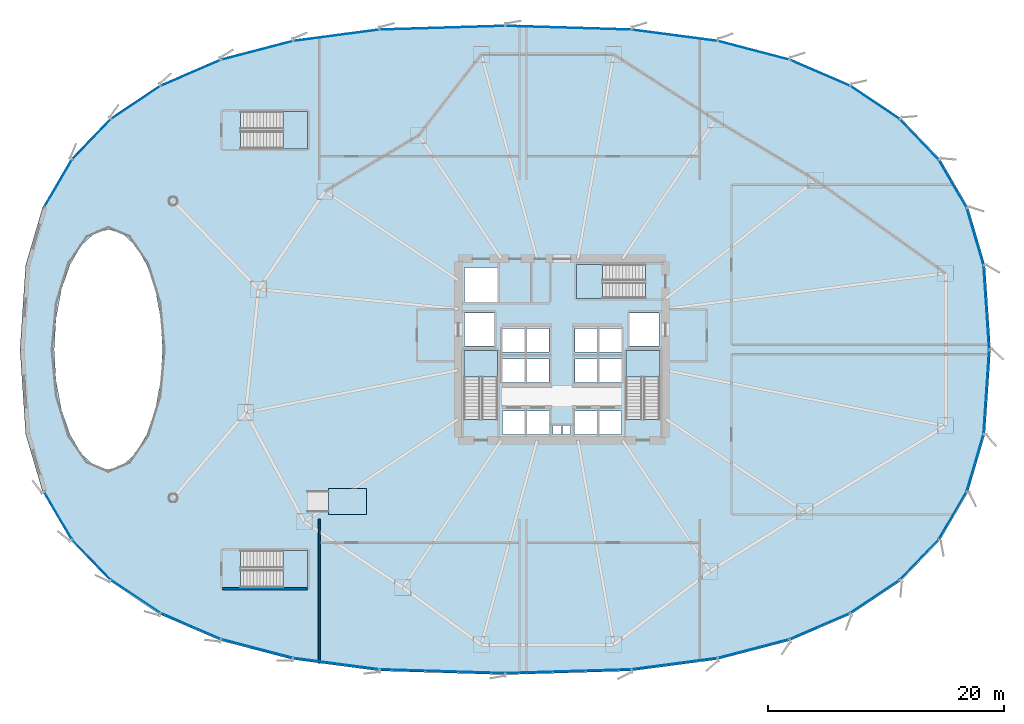
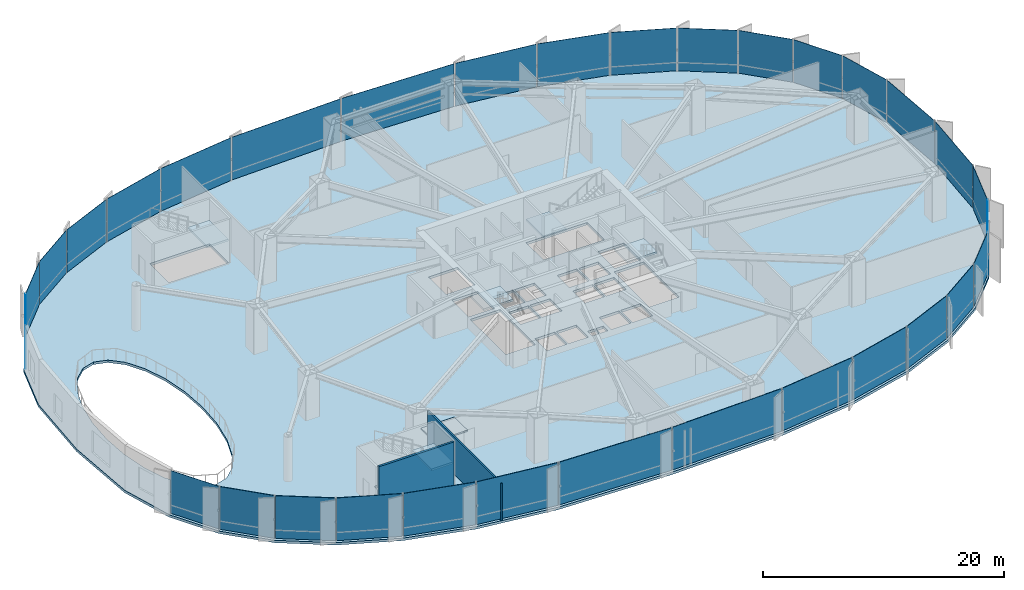
# One storey, part 23 of 34: 32 plates, 7 slabs, 2 walls, 11 elements without a shape of their own.
"""IFC4 building model written with IfcOpenShell, lengths in metres."""

from ifc_helpers import new_model, si_unit, direction, frame, frame_2d, origin, origin_2d, place, context, subcontext, project, spatial, polyline, rectangle, outline, extrude, source, transform, mapped, material, layer, layer_set, type_object, element, aggregate, save


model = new_model("IFC4")

# Units and contexts
model_context = context("Model", 3, precision=1e-05, world=origin(), true_north=direction((0.0, 1.0)))
body_context = subcontext(model_context, "Body", "Model", "MODEL_VIEW")
ifc_project = project(units=[si_unit("LENGTHUNIT", "METRE"), si_unit("AREAUNIT", "SQUARE_METRE"), si_unit("VOLUMEUNIT", "CUBIC_METRE"), si_unit("PLANEANGLEUNIT", "RADIAN"), si_unit("MASSUNIT", "GRAM", prefix="KILO"), si_unit("THERMODYNAMICTEMPERATUREUNIT", "KELVIN")], contexts=[model_context])

# Site, building, storey
site_placement = place(None, origin())
site = spatial("IfcSite", under=ifc_project, at=site_placement, CompositionType="ELEMENT")
building_placement = place(site_placement, origin())
building = spatial("IfcBuilding", under=site, at=building_placement, Name="Kethvar Cultural Tower", CompositionType="ELEMENT")
storey_placement = place(building_placement, frame((0.0, 0.0, 5.199951171875)))
storey = spatial("IfcBuildingStorey", under=building, at=storey_placement, Name="L01", CompositionType="ELEMENT", Elevation=5.199951171875)

# Slabs
ifc_material_1 = material(Name="Concrete C40/50", Category="concrete")
ifc_layer_1 = layer(ifc_material_1, 0.1201171875, Name="Concrete C40/50", Category="concrete")
ifc_layer_set_1 = layer_set([ifc_layer_1], Name="Concrete C40/50 (120 mm)")
slab_type_1 = type_object("IfcSlabType", Name="SL-DAIS-120", PredefinedType="LANDING", material=ifc_layer_set_1)
slab_1_placement = place(storey_placement, origin())
element("IfcSlab", 1, at=slab_1_placement, inside=storey, type_object=slab_type_1, Name="L01 Exhibition Plinth Landing", PredefinedType="LANDING", context=body_context, shape_type="SweptSolid", body=[
    extrude(outline(polyline([(27.0, 13.800048828125), (30.199951171875, 13.800048828125), (30.199951171875, 16.0), (27.0, 16.0), (27.0, 13.800048828125)])), origin(), (0.0, 0.0, 1.0), 0.1201171875),
])
ifc_layer_2 = layer(ifc_material_1, 0.25, Name="Concrete C40/50", Category="concrete")
ifc_layer_set_2 = layer_set([ifc_layer_2], Name="Concrete C40/50 (250 mm)")
slab_type_2 = type_object("IfcSlabType", Name="SL-POD-250", PredefinedType="FLOOR", material=ifc_layer_set_2)
slab_2_placement = place(storey_placement, frame((0.0, 0.0, -0.25)))
element("IfcSlab", 2, at=slab_2_placement, inside=storey, type_object=slab_type_2, Name="L01 Structural Floor Slab", PredefinedType="FLOOR", context=body_context, shape_type="SweptSolid", body=[
    extrude(outline(polyline([(83.199951171875, 27.800048828125), (82.7177734375, 34.978515625), (81.275146484375, 39.8916015625), (78.884521484375, 43.993896484375), (75.56298828125, 47.44580078125), (71.326416015625, 50.283935546875), (66.17333984375, 52.509033203125), (60.0498046875, 54.110595703125), (52.7158203125, 55.076904296875), (42.0, 55.39990234375), (31.2841796875, 55.076904296875), (23.9501953125, 54.110595703125), (17.82666015625, 52.509033203125), (12.673583984375, 50.283935546875), (8.43701171875, 47.44580078125), (5.115478515625, 43.993896484375), (2.724853515625, 39.8916015625), (1.2822265625, 34.978515625), (0.800048828125, 27.800048828125), (1.2822265625, 20.621337890625), (2.724853515625, 15.708251953125), (5.115478515625, 11.606201171875), (8.43701171875, 8.154296875), (12.673583984375, 5.31591796875), (17.82666015625, 3.091064453125), (23.9501953125, 1.489501953125), (31.2841796875, 0.523193359375), (42.0, 0.199951171875), (52.7158203125, 0.523193359375), (60.0498046875, 1.489501953125), (66.17333984375, 3.091064453125), (71.326416015625, 5.31591796875), (75.56298828125, 8.154296875), (78.884521484375, 11.606201171875), (81.275146484375, 15.708251953125), (82.7177734375, 20.621337890625), (83.199951171875, 27.800048828125)]), holes=[polyline([(38.489990234375, 21.85009765625), (38.489990234375, 27.699951171875), (41.35009765625, 27.699951171875), (41.35009765625, 21.85009765625), (38.489990234375, 21.85009765625)]), polyline([(52.25, 21.85009765625), (52.25, 27.699951171875), (55.110107421875, 27.699951171875), (55.110107421875, 21.85009765625), (52.25, 21.85009765625)]), polyline([(53.89990234375, 32.14990234375), (48.050048828125, 32.14990234375), (48.050048828125, 35.010009765625), (53.89990234375, 35.010009765625), (53.89990234375, 32.14990234375)]), polyline([(19.5, 10.760009765625), (25.199951171875, 10.760009765625), (25.199951171875, 7.60009765625), (19.5, 7.60009765625), (19.5, 10.760009765625)]), polyline([(19.5, 48.0), (25.199951171875, 48.0), (25.199951171875, 44.840087890625), (19.5, 44.840087890625), (19.5, 48.0)]), polyline([(41.75, 22.60009765625), (43.64990234375, 22.60009765625), (43.64990234375, 20.60009765625), (41.75, 20.60009765625), (41.75, 22.60009765625)]), polyline([(43.800048828125, 22.60009765625), (45.699951171875, 22.60009765625), (45.699951171875, 20.60009765625), (43.800048828125, 20.60009765625), (43.800048828125, 22.60009765625)]), polyline([(47.89990234375, 22.60009765625), (49.800048828125, 22.60009765625), (49.800048828125, 20.60009765625), (47.89990234375, 20.60009765625), (47.89990234375, 22.60009765625)]), polyline([(49.949951171875, 22.60009765625), (51.85009765625, 22.60009765625), (51.85009765625, 20.60009765625), (49.949951171875, 20.60009765625), (49.949951171875, 22.60009765625)]), polyline([(41.75, 27.0), (43.64990234375, 27.0), (43.64990234375, 25.0), (41.75, 25.0), (41.75, 27.0)]), polyline([(43.800048828125, 27.0), (45.699951171875, 27.0), (45.699951171875, 25.0), (43.800048828125, 25.0), (43.800048828125, 27.0)]), polyline([(47.89990234375, 27.0), (49.800048828125, 27.0), (49.800048828125, 25.0), (47.89990234375, 25.0), (47.89990234375, 27.0)]), polyline([(49.949951171875, 27.0), (51.85009765625, 27.0), (51.85009765625, 25.0), (49.949951171875, 25.0), (49.949951171875, 27.0)]), polyline([(41.75, 29.60009765625), (43.64990234375, 29.60009765625), (43.64990234375, 27.60009765625), (41.75, 27.60009765625), (41.75, 29.60009765625)]), polyline([(43.800048828125, 29.60009765625), (45.699951171875, 29.60009765625), (45.699951171875, 27.60009765625), (43.800048828125, 27.60009765625), (43.800048828125, 29.60009765625)]), polyline([(47.89990234375, 29.60009765625), (49.800048828125, 29.60009765625), (49.800048828125, 27.60009765625), (47.89990234375, 27.60009765625), (47.89990234375, 29.60009765625)]), polyline([(49.949951171875, 29.60009765625), (51.85009765625, 29.60009765625), (51.85009765625, 27.60009765625), (49.949951171875, 27.60009765625), (49.949951171875, 29.60009765625)]), polyline([(38.550048828125, 30.89990234375), (41.050048828125, 30.89990234375), (41.050048828125, 28.10009765625), (38.550048828125, 28.10009765625), (38.550048828125, 30.89990234375)]), polyline([(52.550048828125, 30.89990234375), (55.050048828125, 30.89990234375), (55.050048828125, 28.10009765625), (52.550048828125, 28.10009765625), (52.550048828125, 30.89990234375)]), polyline([(38.550048828125, 34.75), (41.35009765625, 34.75), (41.35009765625, 31.85009765625), (38.550048828125, 31.85009765625), (38.550048828125, 34.75)]), polyline([(46.050048828125, 21.35009765625), (46.75, 21.35009765625), (46.75, 20.60009765625), (46.050048828125, 20.60009765625), (46.050048828125, 21.35009765625)]), polyline([(46.85009765625, 21.35009765625), (47.550048828125, 21.35009765625), (47.550048828125, 20.60009765625), (46.85009765625, 20.60009765625), (46.85009765625, 21.35009765625)]), polyline([(12.743408203125, 25.159912109375), (12.28369140625, 22.699951171875), (11.552734375, 20.58740234375), (10.60009765625, 18.966552734375), (9.490478515625, 17.947509765625), (8.300048828125, 17.60009765625), (7.109375, 17.947509765625), (6.0, 18.966552734375), (5.04736328125, 20.58740234375), (4.31640625, 22.699951171875), (3.856689453125, 25.159912109375), (3.699951171875, 27.800048828125), (3.856689453125, 30.43994140625), (4.31640625, 32.89990234375), (5.04736328125, 35.012451171875), (6.0, 36.633544921875), (7.109375, 37.65234375), (8.300048828125, 38.0), (9.490478515625, 37.65234375), (10.60009765625, 36.633544921875), (11.552734375, 35.012451171875), (12.28369140625, 32.89990234375), (12.743408203125, 30.43994140625), (12.89990234375, 27.800048828125), (12.743408203125, 25.159912109375)])]), origin(), (0.0, 0.0, 1.0), 0.25),
])

# Stair, slab
stair_type_1 = type_object("IfcStairType", Name="ST-DOGLEG-135", PredefinedType="HALF_TURN_STAIR", material=ifc_material_1)
stair_1_placement = place(storey_placement, origin())
stair_1 = element("IfcStair", 3, at=stair_1_placement, inside=storey, type_object=stair_type_1, Name="L01 Core Exit Stair 1", PredefinedType="HALF_TURN_STAIR")
ifc_layer_3 = layer(ifc_material_1, 0.199951171875, Name="Concrete C40/50", Category="concrete")
ifc_layer_set_3 = layer_set([ifc_layer_3], Name="Concrete C40/50 (200 mm)")
slab_type_3 = type_object("IfcSlabType", Name="SL-STAIR-LANDING-200", PredefinedType="LANDING", material=ifc_layer_set_3)
slab_3_placement = place(storey_placement, frame((0.0, 0.0, 2.199951171875)))
slab_3 = element("IfcSlab", 4, at=slab_3_placement, type_object=slab_type_3, Name="ST-01 landing 1", PredefinedType="LANDING", context=body_context, shape_type="SweptSolid", body=[
    extrude(outline(polyline([(41.35009765625, 25.489990234375), (41.35009765625, 27.699951171875), (38.489990234375, 27.699951171875), (38.489990234375, 25.489990234375), (41.35009765625, 25.489990234375)])), origin(), (0.0, 0.0, 1.0), 0.2001953125),
])
aggregate(stair_1, [slab_3])

stair_2_placement = place(storey_placement, origin())
stair_2 = element("IfcStair", 5, at=stair_2_placement, inside=storey, type_object=stair_type_1, Name="L01 Core Exit Stair 2", PredefinedType="HALF_TURN_STAIR")
slab_4_placement = place(storey_placement, frame((0.0, 0.0, 2.199951171875)))
slab_4 = element("IfcSlab", 6, at=slab_4_placement, type_object=slab_type_3, Name="ST-02 landing 1", PredefinedType="LANDING", context=body_context, shape_type="SweptSolid", body=[
    extrude(outline(polyline([(55.110107421875, 25.489990234375), (55.110107421875, 27.699951171875), (52.25, 27.699951171875), (52.25, 25.489990234375), (55.110107421875, 25.489990234375)])), origin(), (0.0, 0.0, 1.0), 0.2001953125),
])
aggregate(stair_2, [slab_4])

stair_3_placement = place(storey_placement, origin())
stair_3 = element("IfcStair", 7, at=stair_3_placement, inside=storey, type_object=stair_type_1, Name="L01 Core Exit Stair 3", PredefinedType="HALF_TURN_STAIR")
slab_5_placement = place(storey_placement, frame((0.0, 0.0, 2.199951171875)))
slab_5 = element("IfcSlab", 8, at=slab_5_placement, type_object=slab_type_3, Name="ST-03 landing 1", PredefinedType="LANDING", context=body_context, shape_type="SweptSolid", body=[
    extrude(outline(polyline([(50.260009765625, 35.010009765625), (48.050048828125, 35.010009765625), (48.050048828125, 32.14990234375), (50.260009765625, 32.14990234375), (50.260009765625, 35.010009765625)])), origin(), (0.0, 0.0, 1.0), 0.2001953125),
])
aggregate(stair_3, [slab_5])

stair_type_2 = type_object("IfcStairType", Name="ST-DOGLEG-150", PredefinedType="HALF_TURN_STAIR", material=ifc_material_1)
stair_4_placement = place(storey_placement, origin())
stair_4 = element("IfcStair", 9, at=stair_4_placement, inside=storey, type_object=stair_type_2, Name="L01 Podium Auditorium Exit Stair 4", PredefinedType="HALF_TURN_STAIR")
slab_6_placement = place(storey_placement, frame((0.0, 0.0, 2.199951171875)))
slab_6 = element("IfcSlab", 10, at=slab_6_placement, type_object=slab_type_3, Name="ST-04 landing 1", PredefinedType="LANDING", context=body_context, shape_type="SweptSolid", body=[
    extrude(outline(polyline([(23.139892578125, 7.60009765625), (25.199951171875, 7.60009765625), (25.199951171875, 10.760009765625), (23.139892578125, 10.760009765625), (23.139892578125, 7.60009765625)])), origin(), (0.0, 0.0, 1.0), 0.2001953125),
])
aggregate(stair_4, [slab_6])

stair_5_placement = place(storey_placement, origin())
stair_5 = element("IfcStair", 11, at=stair_5_placement, inside=storey, type_object=stair_type_2, Name="L01 Podium Auditorium Exit Stair 5", PredefinedType="HALF_TURN_STAIR")
slab_7_placement = place(storey_placement, frame((0.0, 0.0, 2.199951171875)))
slab_7 = element("IfcSlab", 12, at=slab_7_placement, type_object=slab_type_3, Name="ST-05 landing 1", PredefinedType="LANDING", context=body_context, shape_type="SweptSolid", body=[
    extrude(outline(polyline([(23.139892578125, 44.840087890625), (25.199951171875, 44.840087890625), (25.199951171875, 48.0), (23.139892578125, 48.0), (23.139892578125, 44.840087890625)])), origin(), (0.0, 0.0, 1.0), 0.2001953125),
])
aggregate(stair_5, [slab_7])

# Curtain wall, plate
ifc_material_2 = material(Name="Aluminium 6063-T6", Category="aluminium")
ifc_layer_4 = layer(ifc_material_2, 0.179931640625, Name="Aluminium 6063-T6", Category="aluminium")
ifc_layer_set_4 = layer_set([ifc_layer_4], Name="Aluminium 6063-T6 (180 mm)")
curtain_wall_type = type_object("IfcCurtainWallType", Name="CW-SYS-01-POD", PredefinedType="NOTDEFINED", material=ifc_layer_set_4)
curtain_wall_1_placement = place(storey_placement, origin())
curtain_wall_1 = element("IfcCurtainWall", 13, at=curtain_wall_1_placement, inside=storey, type_object=curtain_wall_type, Name="L01 Curtain Wall Run 01", PredefinedType="NOTDEFINED")
ifc_material_3 = material(Name="Insulated Low-E Solar Glass", Category="glass")
ifc_layer_5 = layer(ifc_material_3, 0.035888671875, Name="Insulated Low-E Solar Glass", Category="glass")
ifc_layer_set_5 = layer_set([ifc_layer_5], Name="Insulated Low-E Solar Glass (36 mm)")
plate_type = type_object("IfcPlateType", Name="CW-SYS-01-POD-PNL", PredefinedType="CURTAIN_PANEL", material=ifc_layer_set_5)
shared_shape_1 = source(origin(), body_context, "Body", "SweptSolid", [
    extrude(rectangle(XDim=7.086669921875, YDim=0.035888671875, at=origin_2d()), origin(), (0.0, 0.0, 1.0), 4.330078125),
])
plate_1_placement = place(storey_placement, frame((82.8291015625, 31.380615234375, 0.110107421875), z_axis=(0.0, 0.0, 1.0), x_axis=(-0.067040137302, 0.997750279374, 0.0)))
plate_1 = element("IfcPlate", 14, at=plate_1_placement, type_object=plate_type, Name="CW-L01-R01 Vision Glazing Panel 1", PredefinedType="CURTAIN_PANEL", context=body_context, shape_type="MappedRepresentation", body=[
    mapped(shared_shape_1, transform((0.0, 0.0, 0.0), scale=1.0)),
])

curtain_wall_2_placement = place(storey_placement, origin())
curtain_wall_2 = element("IfcCurtainWall", 15, at=curtain_wall_2_placement, inside=storey, type_object=curtain_wall_type, Name="L01 Curtain Wall Run 06", PredefinedType="NOTDEFINED")
plate_2_placement = place(storey_placement, frame((82.8291015625, 24.219482421875, 0.110107421875), z_axis=(0.0, 0.0, 1.0), x_axis=(0.067040137302, 0.997750279374, 0.0)))
plate_2 = element("IfcPlate", 16, at=plate_2_placement, type_object=plate_type, Name="CW-L01-R06 Vision Glazing Panel 4", PredefinedType="CURTAIN_PANEL", context=body_context, shape_type="MappedRepresentation", body=[
    mapped(shared_shape_1, transform((0.0, 0.0, 0.0), scale=1.0)),
])

# Plate
shared_shape_2 = source(origin(), body_context, "Body", "SweptSolid", [
    extrude(rectangle(XDim=5.012451171875, YDim=0.035888671875, at=origin_2d()), origin(), (0.0, 0.0, 1.0), 4.330078125),
])
plate_3_placement = place(storey_placement, frame((81.87158203125, 37.398681640625, 0.110107421875), z_axis=(0.0, 0.0, 1.0), x_axis=(-0.28172190008, 0.959496102658, 0.0)))
plate_3 = element("IfcPlate", 17, at=plate_3_placement, type_object=plate_type, Name="CW-L01-R01 Vision Glazing Panel 2", PredefinedType="CURTAIN_PANEL", context=body_context, shape_type="MappedRepresentation", body=[
    mapped(shared_shape_2, transform((0.0, 0.0, 0.0), scale=1.0)),
])

plate_4_placement = place(storey_placement, frame((81.87158203125, 18.201416015625, 0.110107421875), z_axis=(0.0, 0.0, 1.0), x_axis=(0.28172190008, 0.959496102658, 0.0)))
plate_4 = element("IfcPlate", 18, at=plate_4_placement, type_object=plate_type, Name="CW-L01-R06 Vision Glazing Panel 3", PredefinedType="CURTAIN_PANEL", context=body_context, shape_type="MappedRepresentation", body=[
    mapped(shared_shape_2, transform((0.0, 0.0, 0.0), scale=1.0)),
])

shared_shape_3 = source(origin(), body_context, "Body", "SweptSolid", [
    extrude(rectangle(XDim=4.639892578125, YDim=0.035888671875, at=origin_2d()), origin(), (0.0, 0.0, 1.0), 4.330078125),
])
plate_5_placement = place(storey_placement, frame((79.967529296875, 41.877197265625, 0.110107421875), z_axis=(0.0, 0.0, 1.0), x_axis=(-0.503517649721, 0.863984939927, 0.0)))
plate_5 = element("IfcPlate", 19, at=plate_5_placement, type_object=plate_type, Name="CW-L01-R01 Vision Glazing Panel 3", PredefinedType="CURTAIN_PANEL", context=body_context, shape_type="MappedRepresentation", body=[
    mapped(shared_shape_3, transform((0.0, 0.0, 0.0), scale=1.0)),
])

# Curtain wall, plate
curtain_wall_3_placement = place(storey_placement, origin())
curtain_wall_3 = element("IfcCurtainWall", 20, at=curtain_wall_3_placement, inside=storey, type_object=curtain_wall_type, Name="L01 Curtain Wall Run 03", PredefinedType="NOTDEFINED")
plate_6_placement = place(storey_placement, frame((4.032470703125, 41.877197265625, 0.110107421875), z_axis=(0.0, 0.0, 1.0), x_axis=(-0.503517649721, -0.863984939927, 0.0)))
plate_6 = element("IfcPlate", 21, at=plate_6_placement, type_object=plate_type, Name="CW-L01-R03 Vision Glazing Panel 4", PredefinedType="CURTAIN_PANEL", context=body_context, shape_type="MappedRepresentation", body=[
    mapped(shared_shape_3, transform((0.0, 0.0, 0.0), scale=1.0)),
])

curtain_wall_4_placement = place(storey_placement, origin())
curtain_wall_4 = element("IfcCurtainWall", 22, at=curtain_wall_4_placement, inside=storey, type_object=curtain_wall_type, Name="L01 Curtain Wall Run 04", PredefinedType="NOTDEFINED")
plate_7_placement = place(storey_placement, frame((4.032470703125, 13.72265625, 0.110107421875), z_axis=(0.0, 0.0, 1.0), x_axis=(0.503517649721, -0.863984939927, 0.0)))
plate_7 = element("IfcPlate", 23, at=plate_7_placement, type_object=plate_type, Name="CW-L01-R04 Vision Glazing Panel 1", PredefinedType="CURTAIN_PANEL", context=body_context, shape_type="MappedRepresentation", body=[
    mapped(shared_shape_3, transform((0.0, 0.0, 0.0), scale=1.0)),
])

# Plate
plate_8_placement = place(storey_placement, frame((79.967529296875, 13.72265625, 0.110107421875), z_axis=(0.0, 0.0, 1.0), x_axis=(0.503517649721, 0.863984939927, 0.0)))
plate_8 = element("IfcPlate", 24, at=plate_8_placement, type_object=plate_type, Name="CW-L01-R06 Vision Glazing Panel 2", PredefinedType="CURTAIN_PANEL", context=body_context, shape_type="MappedRepresentation", body=[
    mapped(shared_shape_3, transform((0.0, 0.0, 0.0), scale=1.0)),
])

shared_shape_4 = source(origin(), body_context, "Body", "SweptSolid", [
    extrude(rectangle(XDim=4.682373046875, YDim=0.035888671875, at=origin_2d()), origin(), (0.0, 0.0, 1.0), 4.330078125),
])
plate_9_placement = place(storey_placement, frame((77.130126953125, 45.629638671875, 0.110107421875), z_axis=(0.0, 0.0, 1.0), x_axis=(-0.693338945689, 0.720611619661, 0.0)))
plate_9 = element("IfcPlate", 25, at=plate_9_placement, type_object=plate_type, Name="CW-L01-R01 Vision Glazing Panel 4", PredefinedType="CURTAIN_PANEL", context=body_context, shape_type="MappedRepresentation", body=[
    mapped(shared_shape_4, transform((0.0, 0.0, 0.0), scale=1.0)),
])

plate_10_placement = place(storey_placement, frame((6.869873046875, 45.629638671875, 0.110107421875), z_axis=(0.0, 0.0, 1.0), x_axis=(-0.693338945689, -0.720611619661, 0.0)))
plate_10 = element("IfcPlate", 26, at=plate_10_placement, type_object=plate_type, Name="CW-L01-R03 Vision Glazing Panel 3", PredefinedType="CURTAIN_PANEL", context=body_context, shape_type="MappedRepresentation", body=[
    mapped(shared_shape_4, transform((0.0, 0.0, 0.0), scale=1.0)),
])

plate_11_placement = place(storey_placement, frame((6.869873046875, 9.97021484375, 0.110107421875), z_axis=(0.0, 0.0, 1.0), x_axis=(0.693338945689, -0.720611619661, 0.0)))
plate_11 = element("IfcPlate", 27, at=plate_11_placement, type_object=plate_type, Name="CW-L01-R04 Vision Glazing Panel 2", PredefinedType="CURTAIN_PANEL", context=body_context, shape_type="MappedRepresentation", body=[
    mapped(shared_shape_4, transform((0.0, 0.0, 0.0), scale=1.0)),
])

plate_12_placement = place(storey_placement, frame((77.130126953125, 9.97021484375, 0.110107421875), z_axis=(0.0, 0.0, 1.0), x_axis=(0.693338945689, 0.720611619661, 0.0)))
plate_12 = element("IfcPlate", 28, at=plate_12_placement, type_object=plate_type, Name="CW-L01-R06 Vision Glazing Panel 1", PredefinedType="CURTAIN_PANEL", context=body_context, shape_type="MappedRepresentation", body=[
    mapped(shared_shape_4, transform((0.0, 0.0, 0.0), scale=1.0)),
])

aggregate(curtain_wall_2, [plate_12, plate_8, plate_4, plate_2])

shared_shape_5 = source(origin(), body_context, "Body", "SweptSolid", [
    extrude(rectangle(XDim=4.99169921875, YDim=0.035888671875, at=origin_2d()), origin(), (0.0, 0.0, 1.0), 4.330078125),
])
plate_13_placement = place(storey_placement, frame((73.372314453125, 48.7568359375, 0.110107421875), z_axis=(0.0, 0.0, 1.0), x_axis=(-0.830809662848, 0.556556649514, 0.0)))
plate_13 = element("IfcPlate", 29, at=plate_13_placement, type_object=plate_type, Name="CW-L01-R01 Vision Glazing Panel 5", PredefinedType="CURTAIN_PANEL", context=body_context, shape_type="MappedRepresentation", body=[
    mapped(shared_shape_5, transform((0.0, 0.0, 0.0), scale=1.0)),
])

plate_14_placement = place(storey_placement, frame((10.627685546875, 48.7568359375, 0.110107421875), z_axis=(0.0, 0.0, 1.0), x_axis=(-0.830809662848, -0.556556649514, 0.0)))
plate_14 = element("IfcPlate", 30, at=plate_14_placement, type_object=plate_type, Name="CW-L01-R03 Vision Glazing Panel 2", PredefinedType="CURTAIN_PANEL", context=body_context, shape_type="MappedRepresentation", body=[
    mapped(shared_shape_5, transform((0.0, 0.0, 0.0), scale=1.0)),
])

plate_15_placement = place(storey_placement, frame((10.627685546875, 6.84326171875, 0.110107421875), z_axis=(0.0, 0.0, 1.0), x_axis=(0.830809662848, -0.556556649514, 0.0)))
plate_15 = element("IfcPlate", 31, at=plate_15_placement, type_object=plate_type, Name="CW-L01-R04 Vision Glazing Panel 3", PredefinedType="CURTAIN_PANEL", context=body_context, shape_type="MappedRepresentation", body=[
    mapped(shared_shape_5, transform((0.0, 0.0, 0.0), scale=1.0)),
])

# Curtain wall, plate
curtain_wall_5_placement = place(storey_placement, origin())
curtain_wall_5 = element("IfcCurtainWall", 32, at=curtain_wall_5_placement, inside=storey, type_object=curtain_wall_type, Name="L01 Curtain Wall Run 05", PredefinedType="NOTDEFINED")
plate_16_placement = place(storey_placement, frame((73.372314453125, 6.84326171875, 0.110107421875), z_axis=(0.0, 0.0, 1.0), x_axis=(0.830809662848, 0.556556649514, 0.0)))
plate_16 = element("IfcPlate", 33, at=plate_16_placement, type_object=plate_type, Name="CW-L01-R05 Vision Glazing Panel 6", PredefinedType="CURTAIN_PANEL", context=body_context, shape_type="MappedRepresentation", body=[
    mapped(shared_shape_5, transform((0.0, 0.0, 0.0), scale=1.0)),
])

# Plate
shared_shape_6 = source(origin(), body_context, "Body", "SweptSolid", [
    extrude(rectangle(XDim=5.5048828125, YDim=0.035888671875, at=origin_2d()), origin(), (0.0, 0.0, 1.0), 4.330078125),
])
plate_17_placement = place(storey_placement, frame((68.6982421875, 51.277099609375, 0.110107421875), z_axis=(0.0, 0.0, 1.0), x_axis=(-0.918073180633, 0.396410942082, 0.0)))
plate_17 = element("IfcPlate", 34, at=plate_17_placement, type_object=plate_type, Name="CW-L01-R01 Vision Glazing Panel 6", PredefinedType="CURTAIN_PANEL", context=body_context, shape_type="MappedRepresentation", body=[
    mapped(shared_shape_6, transform((0.0, 0.0, 0.0), scale=1.0)),
])

aggregate(curtain_wall_1, [plate_1, plate_3, plate_5, plate_9, plate_13, plate_17])

plate_18_placement = place(storey_placement, frame((15.3017578125, 51.277099609375, 0.110107421875), z_axis=(0.0, 0.0, 1.0), x_axis=(-0.918073180633, -0.396410942082, 0.0)))
plate_18 = element("IfcPlate", 35, at=plate_18_placement, type_object=plate_type, Name="CW-L01-R03 Vision Glazing Panel 1", PredefinedType="CURTAIN_PANEL", context=body_context, shape_type="MappedRepresentation", body=[
    mapped(shared_shape_6, transform((0.0, 0.0, 0.0), scale=1.0)),
])

aggregate(curtain_wall_3, [plate_18, plate_14, plate_10, plate_6])

plate_19_placement = place(storey_placement, frame((15.3017578125, 4.32275390625, 0.110107421875), z_axis=(0.0, 0.0, 1.0), x_axis=(0.918073180633, -0.396410942082, 0.0)))
plate_19 = element("IfcPlate", 36, at=plate_19_placement, type_object=plate_type, Name="CW-L01-R04 Vision Glazing Panel 4", PredefinedType="CURTAIN_PANEL", context=body_context, shape_type="MappedRepresentation", body=[
    mapped(shared_shape_6, transform((0.0, 0.0, 0.0), scale=1.0)),
])

plate_20_placement = place(storey_placement, frame((68.6982421875, 4.32275390625, 0.110107421875), z_axis=(0.0, 0.0, 1.0), x_axis=(0.918073180633, 0.396410942082, 0.0)))
plate_20 = element("IfcPlate", 37, at=plate_20_placement, type_object=plate_type, Name="CW-L01-R05 Vision Glazing Panel 5", PredefinedType="CURTAIN_PANEL", context=body_context, shape_type="MappedRepresentation", body=[
    mapped(shared_shape_6, transform((0.0, 0.0, 0.0), scale=1.0)),
])

# Curtain wall, plates
curtain_wall_6_placement = place(storey_placement, origin())
curtain_wall_6 = element("IfcCurtainWall", 38, at=curtain_wall_6_placement, inside=storey, type_object=curtain_wall_type, Name="L01 Curtain Wall Run 02", PredefinedType="NOTDEFINED")
shared_shape_7 = source(origin(), body_context, "Body", "SweptSolid", [
    extrude(rectangle(XDim=6.221435546875, YDim=0.035888671875, at=origin_2d()), origin(), (0.0, 0.0, 1.0), 4.330078125),
])
plate_21_placement = place(storey_placement, frame((63.07861328125, 53.18408203125, 0.110107421875), z_axis=(0.0, 0.0, 1.0), x_axis=(-0.967457923558, 0.253031946887, 0.0)))
plate_21 = element("IfcPlate", 39, at=plate_21_placement, type_object=plate_type, Name="CW-L01-R02 Vision Glazing Panel 1", PredefinedType="CURTAIN_PANEL", context=body_context, shape_type="MappedRepresentation", body=[
    mapped(shared_shape_7, transform((0.0, 0.0, 0.0), scale=1.0)),
])
plate_22_placement = place(storey_placement, frame((20.92138671875, 53.18408203125, 0.110107421875), z_axis=(0.0, 0.0, 1.0), x_axis=(-0.967457923558, -0.253031946887, 0.0)))
plate_22 = element("IfcPlate", 40, at=plate_22_placement, type_object=plate_type, Name="CW-L01-R02 Vision Glazing Panel 6", PredefinedType="CURTAIN_PANEL", context=body_context, shape_type="MappedRepresentation", body=[
    mapped(shared_shape_7, transform((0.0, 0.0, 0.0), scale=1.0)),
])

# Plate
plate_23_placement = place(storey_placement, frame((20.92138671875, 2.416015625, 0.110107421875), z_axis=(0.0, 0.0, 1.0), x_axis=(0.967457923558, -0.253031946887, 0.0)))
plate_23 = element("IfcPlate", 41, at=plate_23_placement, type_object=plate_type, Name="CW-L01-R04 Vision Glazing Panel 5", PredefinedType="CURTAIN_PANEL", context=body_context, shape_type="MappedRepresentation", body=[
    mapped(shared_shape_7, transform((0.0, 0.0, 0.0), scale=1.0)),
])

plate_24_placement = place(storey_placement, frame((63.07861328125, 2.416015625, 0.110107421875), z_axis=(0.0, 0.0, 1.0), x_axis=(0.967457923558, 0.253031946887, 0.0)))
plate_24 = element("IfcPlate", 42, at=plate_24_placement, type_object=plate_type, Name="CW-L01-R05 Vision Glazing Panel 4", PredefinedType="CURTAIN_PANEL", context=body_context, shape_type="MappedRepresentation", body=[
    mapped(shared_shape_7, transform((0.0, 0.0, 0.0), scale=1.0)),
])

shared_shape_8 = source(origin(), body_context, "Body", "SweptSolid", [
    extrude(rectangle(XDim=7.289306640625, YDim=0.035888671875, at=origin_2d()), origin(), (0.0, 0.0, 1.0), 4.330078125),
])
plate_25_placement = place(storey_placement, frame((56.365966796875, 54.46484375, 0.110107421875), z_axis=(0.0, 0.0, 1.0), x_axis=(-0.991428907192, 0.130647319086, 0.0)))
plate_25 = element("IfcPlate", 43, at=plate_25_placement, type_object=plate_type, Name="CW-L01-R02 Vision Glazing Panel 2", PredefinedType="CURTAIN_PANEL", context=body_context, shape_type="MappedRepresentation", body=[
    mapped(shared_shape_8, transform((0.0, 0.0, 0.0), scale=1.0)),
])

plate_26_placement = place(storey_placement, frame((27.634033203125, 54.46484375, 0.110107421875), z_axis=(0.0, 0.0, 1.0), x_axis=(-0.991428907192, -0.130647319086, 0.0)))
plate_26 = element("IfcPlate", 44, at=plate_26_placement, type_object=plate_type, Name="CW-L01-R02 Vision Glazing Panel 5", PredefinedType="CURTAIN_PANEL", context=body_context, shape_type="MappedRepresentation", body=[
    mapped(shared_shape_8, transform((0.0, 0.0, 0.0), scale=1.0)),
])

plate_27_placement = place(storey_placement, frame((27.634033203125, 1.135009765625, 0.110107421875), z_axis=(0.0, 0.0, 1.0), x_axis=(0.991428907192, -0.130647319086, 0.0)))
plate_27 = element("IfcPlate", 45, at=plate_27_placement, type_object=plate_type, Name="CW-L01-R04 Vision Glazing Panel 6", PredefinedType="CURTAIN_PANEL", context=body_context, shape_type="MappedRepresentation", body=[
    mapped(shared_shape_8, transform((0.0, 0.0, 0.0), scale=1.0)),
])

aggregate(curtain_wall_4, [plate_7, plate_11, plate_15, plate_19, plate_23, plate_27])

plate_28_placement = place(storey_placement, frame((56.365966796875, 1.135009765625, 0.110107421875), z_axis=(0.0, 0.0, 1.0), x_axis=(0.991428907192, 0.130647319086, 0.0)))
plate_28 = element("IfcPlate", 46, at=plate_28_placement, type_object=plate_type, Name="CW-L01-R05 Vision Glazing Panel 3", PredefinedType="CURTAIN_PANEL", context=body_context, shape_type="MappedRepresentation", body=[
    mapped(shared_shape_8, transform((0.0, 0.0, 0.0), scale=1.0)),
])

shared_shape_9 = source(origin(), body_context, "Body", "SweptSolid", [
    extrude(rectangle(XDim=10.61279296875, YDim=0.035888671875, at=origin_2d()), origin(), (0.0, 0.0, 1.0), 4.330078125),
])
plate_29_placement = place(storey_placement, frame((47.35400390625, 55.1083984375, 0.110107421875), z_axis=(0.0, 0.0, 1.0), x_axis=(-0.999545769248, 0.030137272261, 0.0)))
plate_29 = element("IfcPlate", 47, at=plate_29_placement, type_object=plate_type, Name="CW-L01-R02 Vision Glazing Panel 3", PredefinedType="CURTAIN_PANEL", context=body_context, shape_type="MappedRepresentation", body=[
    mapped(shared_shape_9, transform((0.0, 0.0, 0.0), scale=1.0)),
])

plate_30_placement = place(storey_placement, frame((36.64599609375, 55.1083984375, 0.110107421875), z_axis=(0.0, 0.0, 1.0), x_axis=(-0.999545769248, -0.030137272261, 0.0)))
plate_30 = element("IfcPlate", 48, at=plate_30_placement, type_object=plate_type, Name="CW-L01-R02 Vision Glazing Panel 4", PredefinedType="CURTAIN_PANEL", context=body_context, shape_type="MappedRepresentation", body=[
    mapped(shared_shape_9, transform((0.0, 0.0, 0.0), scale=1.0)),
])

aggregate(curtain_wall_6, [plate_21, plate_25, plate_29, plate_30, plate_26, plate_22])

plate_31_placement = place(storey_placement, frame((36.64599609375, 0.491455078125, 0.110107421875), z_axis=(0.0, 0.0, 1.0), x_axis=(0.999545769248, -0.030137272261, 0.0)))
plate_31 = element("IfcPlate", 49, at=plate_31_placement, type_object=plate_type, Name="CW-L01-R05 Vision Glazing Panel 1", PredefinedType="CURTAIN_PANEL", context=body_context, shape_type="MappedRepresentation", body=[
    mapped(shared_shape_9, transform((0.0, 0.0, 0.0), scale=1.0)),
])

plate_32_placement = place(storey_placement, frame((47.35400390625, 0.491455078125, 0.110107421875), z_axis=(0.0, 0.0, 1.0), x_axis=(0.999545769248, 0.030137272261, 0.0)))
plate_32 = element("IfcPlate", 50, at=plate_32_placement, type_object=plate_type, Name="CW-L01-R05 Vision Glazing Panel 2", PredefinedType="CURTAIN_PANEL", context=body_context, shape_type="MappedRepresentation", body=[
    mapped(shared_shape_9, transform((0.0, 0.0, 0.0), scale=1.0)),
])

aggregate(curtain_wall_5, [plate_31, plate_32, plate_28, plate_24, plate_20, plate_16])

# Walls
ifc_material_4 = material(Name="Gypsum Acoustic Partition")
ifc_layer_6 = layer(ifc_material_4, 0.14990234375, Name="Gypsum Acoustic Partition")
ifc_layer_set_6 = layer_set([ifc_layer_6], Name="Gypsum Acoustic Partition (150 mm)")
wall_type_1 = type_object("IfcWallType", Name="WL-PART-150", PredefinedType="PARTITIONING", material=ifc_layer_set_6)
wall_1_placement = place(storey_placement, frame((26.199951171875, 1.193115234375, 0.0), z_axis=(0.0, 0.0, 1.0), x_axis=(0.0, 1.0, 0.0)))
element("IfcWall", 51, at=wall_1_placement, inside=storey, type_object=wall_type_1, Name="L01 South Contemporary Gallery Side Wall L", PredefinedType="PARTITIONING", context=body_context, shape_type="SweptSolid", body=[
    extrude(rectangle(XDim=12.206787109375, YDim=0.14990234375, at=frame_2d((6.103515625, 0.0))), origin(), (0.0, 0.0, 1.0), 3.762939453125),
])
ifc_material_5 = material(Name="Concrete C50/60", Category="concrete")
ifc_layer_7 = layer(ifc_material_5, 0.199951171875, Name="Concrete C50/60", Category="concrete")
ifc_layer_set_7 = layer_set([ifc_layer_7], Name="Concrete C50/60 (200 mm)")
wall_type_2 = type_object("IfcWallType", Name="WL-STSHAFT-200", PredefinedType="SHEAR", material=ifc_layer_set_7)
wall_2_placement = place(storey_placement, frame((25.199951171875, 7.5, 0.0), z_axis=(0.0, 0.0, 1.0), x_axis=(-1.0, 0.0, 0.0)))
element("IfcWall", 52, at=wall_2_placement, inside=storey, type_object=wall_type_2, Name="L01 ST-04 Stair Shaft Wall LEFT", PredefinedType="SHEAR", context=body_context, shape_type="SweptSolid", body=[
    extrude(rectangle(XDim=7.199951171875, YDim=0.199951171875, at=frame_2d((3.60009765625, 0.0))), origin(), (0.0, 0.0, 1.0), 4.550048828125),
])

save(model, "model.ifc")
